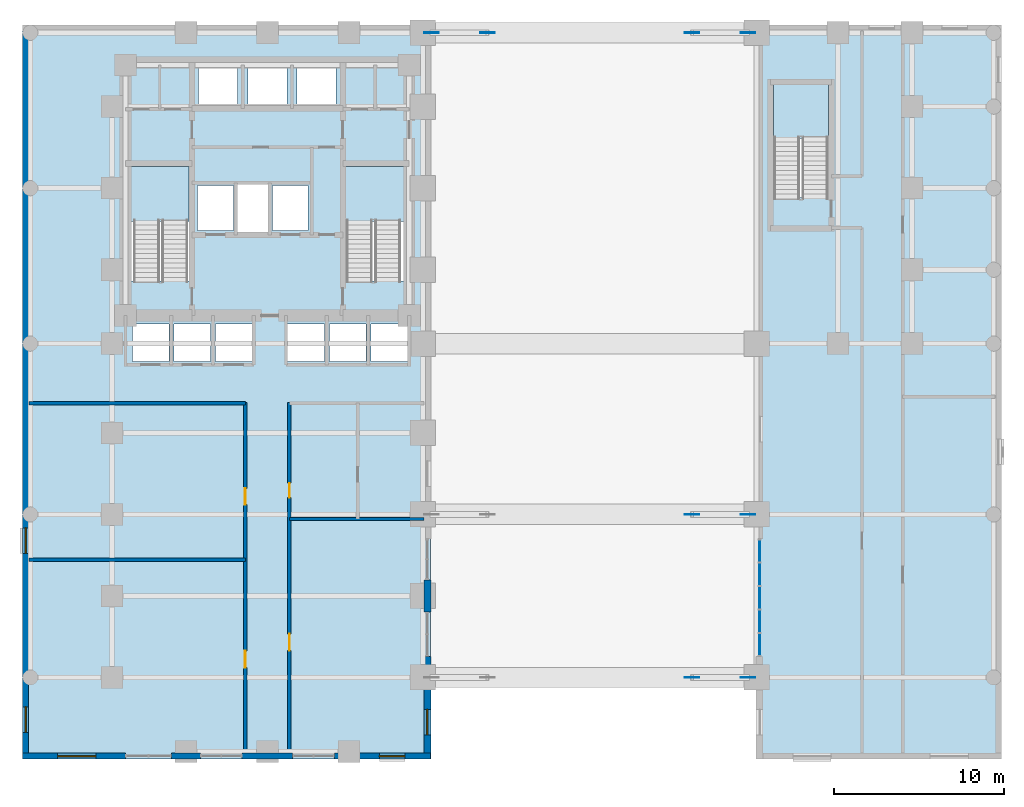
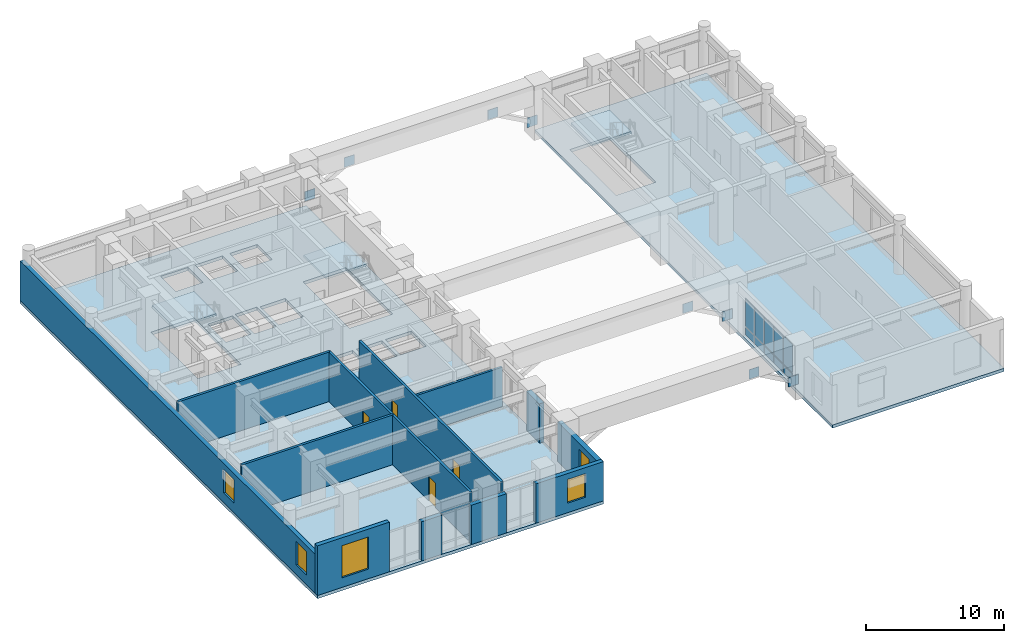
# One storey, part 6 of 12: 18 plates, 12 walls, 5 slabs, 5 windows, 4 doors, 9 openings, 4 elements without a shape of their own.
"""IFC4 building model written with IfcOpenShell, lengths in metres."""

from ifc_helpers import new_model, si_unit, direction, frame, frame_2d, origin, origin_2d, place, context, subcontext, project, spatial, polyline, rectangle, outline, extrude, material, layer, layer_set, type_object, element, fill, aggregate, save


model = new_model("IFC4")

# Units and contexts
model_context = context("Model", 3, precision=1e-05, world=origin(), true_north=direction((0.0, 1.0)))
body_context = subcontext(model_context, "Body", "Model", "MODEL_VIEW")
ifc_project = project(units=[si_unit("LENGTHUNIT", "METRE"), si_unit("AREAUNIT", "SQUARE_METRE"), si_unit("VOLUMEUNIT", "CUBIC_METRE"), si_unit("PLANEANGLEUNIT", "RADIAN"), si_unit("MASSUNIT", "GRAM", prefix="KILO")], contexts=[model_context])

# Site, building, storey
site_placement = place(None, origin())
site = spatial("IfcSite", under=ifc_project, at=site_placement, CompositionType="ELEMENT")
building_placement = place(site_placement, origin())
building = spatial("IfcBuilding", under=site, at=building_placement, Name="Orvandelia Arch Residences", CompositionType="ELEMENT")
storey_placement = place(building_placement, frame((0.0, 0.0, 10.0)))
storey = spatial("IfcBuildingStorey", under=building, at=storey_placement, Name="L02", CompositionType="ELEMENT", Elevation=10.0)

# Curtain wall, plates
ifc_material_1 = material(Name="Anodised Bronze Curtain Wall Assembly")
curtain_wall_type = type_object("IfcCurtainWallType", Name="CW-SYS2-ARCH", PredefinedType="NOTDEFINED", material=ifc_material_1)
curtain_wall_placement = place(storey_placement, origin())
curtain_wall = element("IfcCurtainWall", 1, at=curtain_wall_placement, inside=storey, type_object=curtain_wall_type, Name="Arch East Cheek Glazing L02 6", PredefinedType="NOTDEFINED")
ifc_material_2 = material(Name="Insulated Bronze Aluminium Spandrel Panel", Category="aluminium")
ifc_layer_1 = layer(ifc_material_2, 0.0400390625, Name="Insulated Bronze Aluminium Spandrel Panel", Category="aluminium")
ifc_layer_set_1 = layer_set([ifc_layer_1], Name="Insulated Bronze Aluminium Spandrel Panel")
plate_type_1 = type_object("IfcPlateType", Name="CW-PANEL-SPANDREL", PredefinedType="SHEET", material=ifc_layer_set_1)
plate_1_placement = place(storey_placement, frame((43.3798828125, 11.552001953125, 0.125), z_axis=(0.0, 0.0, 1.0), x_axis=(0.0, 1.0, 0.0)))
plate_1 = element("IfcPlate", 2, at=plate_1_placement, type_object=plate_type_1, Name="Curtain Wall Spandrel Panel CW-L02-6-PS1", PredefinedType="SHEET", context=body_context, shape_type="SweptSolid", body=[
    extrude(rectangle(XDim=1.2939453125, YDim=0.0400390625, at=origin_2d()), origin(), (0.0, 0.0, 1.0), 0.659912109375),
])
plate_2_placement = place(storey_placement, frame((43.3798828125, 12.916015625, 0.125), z_axis=(0.0, 0.0, 1.0), x_axis=(0.0, 1.0, 0.0)))
plate_2 = element("IfcPlate", 3, at=plate_2_placement, type_object=plate_type_1, Name="Curtain Wall Spandrel Panel CW-L02-6-PS2", PredefinedType="SHEET", context=body_context, shape_type="SweptSolid", body=[
    extrude(rectangle(XDim=1.333984375, YDim=0.0400390625, at=origin_2d()), origin(), (0.0, 0.0, 1.0), 0.659912109375),
])
plate_3_placement = place(storey_placement, frame((43.3798828125, 14.300048828125, 0.125), z_axis=(0.0, 0.0, 1.0), x_axis=(0.0, 1.0, 0.0)))
plate_3 = element("IfcPlate", 4, at=plate_3_placement, type_object=plate_type_1, Name="Curtain Wall Spandrel Panel CW-L02-6-PS3", PredefinedType="SHEET", context=body_context, shape_type="SweptSolid", body=[
    extrude(rectangle(XDim=1.333984375, YDim=0.0400390625, at=origin_2d()), origin(), (0.0, 0.0, 1.0), 0.659912109375),
])
plate_4_placement = place(storey_placement, frame((43.3798828125, 15.68408203125, 0.125), z_axis=(0.0, 0.0, 1.0), x_axis=(0.0, 1.0, 0.0)))
plate_4 = element("IfcPlate", 5, at=plate_4_placement, type_object=plate_type_1, Name="Curtain Wall Spandrel Panel CW-L02-6-PS4", PredefinedType="SHEET", context=body_context, shape_type="SweptSolid", body=[
    extrude(rectangle(XDim=1.333984375, YDim=0.0400390625, at=origin_2d()), origin(), (0.0, 0.0, 1.0), 0.659912109375),
])
plate_5_placement = place(storey_placement, frame((43.3798828125, 17.048095703125, 0.125), z_axis=(0.0, 0.0, 1.0), x_axis=(0.0, 1.0, 0.0)))
plate_5 = element("IfcPlate", 6, at=plate_5_placement, type_object=plate_type_1, Name="Curtain Wall Spandrel Panel CW-L02-6-PS5", PredefinedType="SHEET", context=body_context, shape_type="SweptSolid", body=[
    extrude(rectangle(XDim=1.2939453125, YDim=0.0400390625, at=origin_2d()), origin(), (0.0, 0.0, 1.0), 0.659912109375),
])
ifc_material_3 = material(Name="Low-E Laminated Double Glazing", Category="glass")
ifc_layer_2 = layer(ifc_material_3, 0.031982421875, Name="Low-E Laminated Double Glazing", Category="glass")
ifc_layer_set_2 = layer_set([ifc_layer_2], Name="Low-E Laminated Double Glazing")
plate_type_2 = type_object("IfcPlateType", Name="CW-PANEL-VISION", PredefinedType="CURTAIN_PANEL", material=ifc_layer_set_2)
plate_6_placement = place(storey_placement, frame((43.3798828125, 11.552001953125, 0.89501953125), z_axis=(0.0, 0.0, 1.0), x_axis=(0.0, 1.0, 0.0)))
plate_6 = element("IfcPlate", 7, at=plate_6_placement, type_object=plate_type_2, Name="Curtain Wall Vision Glass Panel CW-L02-6-PV1", PredefinedType="CURTAIN_PANEL", context=body_context, shape_type="SweptSolid", body=[
    extrude(rectangle(XDim=1.2939453125, YDim=0.031982421875, at=origin_2d()), origin(), (0.0, 0.0, 1.0), 2.47998046875),
])
plate_7_placement = place(storey_placement, frame((43.3798828125, 12.916015625, 0.89501953125), z_axis=(0.0, 0.0, 1.0), x_axis=(0.0, 1.0, 0.0)))
plate_7 = element("IfcPlate", 8, at=plate_7_placement, type_object=plate_type_2, Name="Curtain Wall Vision Glass Panel CW-L02-6-PV2", PredefinedType="CURTAIN_PANEL", context=body_context, shape_type="SweptSolid", body=[
    extrude(rectangle(XDim=1.333984375, YDim=0.031982421875, at=origin_2d()), origin(), (0.0, 0.0, 1.0), 2.47998046875),
])
plate_8_placement = place(storey_placement, frame((43.3798828125, 14.300048828125, 0.89501953125), z_axis=(0.0, 0.0, 1.0), x_axis=(0.0, 1.0, 0.0)))
plate_8 = element("IfcPlate", 9, at=plate_8_placement, type_object=plate_type_2, Name="Curtain Wall Vision Glass Panel CW-L02-6-PV3", PredefinedType="CURTAIN_PANEL", context=body_context, shape_type="SweptSolid", body=[
    extrude(rectangle(XDim=1.333984375, YDim=0.031982421875, at=origin_2d()), origin(), (0.0, 0.0, 1.0), 2.47998046875),
])
plate_9_placement = place(storey_placement, frame((43.3798828125, 15.68408203125, 0.89501953125), z_axis=(0.0, 0.0, 1.0), x_axis=(0.0, 1.0, 0.0)))
plate_9 = element("IfcPlate", 10, at=plate_9_placement, type_object=plate_type_2, Name="Curtain Wall Vision Glass Panel CW-L02-6-PV4", PredefinedType="CURTAIN_PANEL", context=body_context, shape_type="SweptSolid", body=[
    extrude(rectangle(XDim=1.333984375, YDim=0.031982421875, at=origin_2d()), origin(), (0.0, 0.0, 1.0), 2.47998046875),
])
plate_10_placement = place(storey_placement, frame((43.3798828125, 17.048095703125, 0.89501953125), z_axis=(0.0, 0.0, 1.0), x_axis=(0.0, 1.0, 0.0)))
plate_10 = element("IfcPlate", 11, at=plate_10_placement, type_object=plate_type_2, Name="Curtain Wall Vision Glass Panel CW-L02-6-PV5", PredefinedType="CURTAIN_PANEL", context=body_context, shape_type="SweptSolid", body=[
    extrude(rectangle(XDim=1.2939453125, YDim=0.031982421875, at=origin_2d()), origin(), (0.0, 0.0, 1.0), 2.47998046875),
])
aggregate(curtain_wall, [plate_1, plate_6, plate_2, plate_7, plate_3, plate_8, plate_4, plate_9, plate_5, plate_10])

# Plates
ifc_material_4 = material(Name="Structural Steel HSA650 (650 MPa)", Category="steel")
ifc_layer_3 = layer(ifc_material_4, 0.0400390625, Name="Structural Steel HSA650 (650 MPa)", Category="steel")
ifc_layer_set_3 = layer_set([ifc_layer_3], Name="Structural Steel HSA650 (650 MPa)")
plate_type_3 = type_object("IfcPlateType", Name="PLT-GUSSET-850", PredefinedType="USERDEFINED", material=ifc_layer_set_3)
for number, where, z_axis, x_axis, name in (
    (12, (42.699951171875, 9.60009765625, 0.77490234375), (0.0, 0.0, 1.0), (1.0, 0.0, 0.0), "Arch Springer End Gusset Plate SOUTH-EL"),
    (13, (39.39990234375, 9.60009765625, 2.625), (0.0, 0.0, 1.0), (1.0, 0.0, 0.0), "Arch Springer End Gusset Plate SOUTH-EH"),
    (14, (42.699951171875, 19.199951171875, 0.77490234375), (0.0, 0.0, 1.0), (1.0, 0.0, 0.0), "Arch Springer End Gusset Plate MID-EL"),
    (15, (39.39990234375, 19.199951171875, 2.625), (0.0, 0.0, 1.0), (1.0, 0.0, 0.0), "Arch Springer End Gusset Plate MID-EH"),
    (16, (24.050048828125, 47.550048828125, 0.77490234375), (0.0, 0.0, 1.0), (1.0, 0.0, 0.0), "Arch Springer End Gusset Plate NORTH-WL"),
    (17, (27.35009765625, 47.550048828125, 2.625), (0.0, 0.0, 1.0), (1.0, 0.0, 0.0), "Arch Springer End Gusset Plate NORTH-WH"),
    (18, (42.699951171875, 47.550048828125, 0.77490234375), (0.0, 0.0, 1.0), (1.0, 0.0, 0.0), "Arch Springer End Gusset Plate NORTH-EL"),
    (19, (39.39990234375, 47.550048828125, 2.625), (0.0, 0.0, 1.0), (1.0, 0.0, 0.0), "Arch Springer End Gusset Plate NORTH-EH"),
):
    element("IfcPlate", number, at=place(storey_placement, frame(where, z_axis=z_axis, x_axis=x_axis)), inside=storey, type_object=plate_type_3, Name=name, ObjectType="GUSSET_PLATE", PredefinedType="USERDEFINED", context=body_context, shape_type="SweptSolid", body=[
        extrude(rectangle(XDim=0.85009765625, YDim=0.0400390625, at=origin_2d()), origin(), (0.0, 0.0, 1.0), 0.85009765625),
    ])

# Stair, slab
ifc_material_5 = material(Name="Concrete C40/50", Category="concrete")
stair_type = type_object("IfcStairType", Name="STAIR-RC-DOGLEG", PredefinedType="HALF_TURN_STAIR", material=ifc_material_5)
stair_1_placement = place(storey_placement, origin())
stair_1 = element("IfcStair", 20, at=stair_1_placement, inside=storey, type_object=stair_type, Name="L02 Protected Exit Stair ST-1", PredefinedType="HALF_TURN_STAIR")
ifc_layer_4 = layer(ifc_material_5, 0.219970703125, Name="Concrete C40/50", Category="concrete")
ifc_layer_set_4 = layer_set([ifc_layer_4], Name="Concrete C40/50")
slab_type_1 = type_object("IfcSlabType", Name="SLB-LANDING-220", PredefinedType="LANDING", material=ifc_layer_set_4)
slab_1_placement = place(storey_placement, frame((0.0, 0.0, 2.199951171875)))
slab_1 = element("IfcSlab", 21, at=slab_1_placement, type_object=slab_type_1, Name="ST-1 landing 1", PredefinedType="LANDING", context=body_context, shape_type="SweptSolid", body=[
    extrude(outline(polyline([(9.800048828125, 36.429931640625), (9.800048828125, 39.68994140625), (6.260009765625, 39.68994140625), (6.260009765625, 36.429931640625), (9.800048828125, 36.429931640625)])), origin(), (0.0, 0.0, 1.0), 0.199951171875),
])
aggregate(stair_1, [slab_1])

stair_2_placement = place(storey_placement, origin())
stair_2 = element("IfcStair", 22, at=stair_2_placement, inside=storey, type_object=stair_type, Name="L02 Protected Exit Stair ST-2", PredefinedType="HALF_TURN_STAIR")
slab_2_placement = place(storey_placement, frame((0.0, 0.0, 2.199951171875)))
slab_2 = element("IfcSlab", 23, at=slab_2_placement, type_object=slab_type_1, Name="ST-2 landing 1", PredefinedType="LANDING", context=body_context, shape_type="SweptSolid", body=[
    extrude(outline(polyline([(22.5400390625, 36.429931640625), (22.5400390625, 39.68994140625), (19.0, 39.68994140625), (19.0, 36.429931640625), (22.5400390625, 36.429931640625)])), origin(), (0.0, 0.0, 1.0), 0.199951171875),
])
aggregate(stair_2, [slab_2])

stair_3_placement = place(storey_placement, origin())
stair_3 = element("IfcStair", 24, at=stair_3_placement, inside=storey, type_object=stair_type, Name="L02 East Wing Exit Stair ST-3", PredefinedType="HALF_TURN_STAIR")
slab_3_placement = place(storey_placement, frame((0.0, 0.0, 2.199951171875)))
slab_3 = element("IfcSlab", 25, at=slab_3_placement, type_object=slab_type_1, Name="ST-3 landing 1", PredefinedType="LANDING", context=body_context, shape_type="SweptSolid", body=[
    extrude(outline(polyline([(47.43994140625, 41.330078125), (47.43994140625, 44.5), (44.179931640625, 44.5), (44.179931640625, 41.330078125), (47.43994140625, 41.330078125)])), origin(), (0.0, 0.0, 1.0), 0.199951171875),
])
aggregate(stair_3, [slab_3])

# Slabs
ifc_layer_5 = layer(ifc_material_5, 0.280029296875, Name="Concrete C40/50", Category="concrete")
ifc_layer_set_5 = layer_set([ifc_layer_5], Name="Concrete C40/50")
slab_type_2 = type_object("IfcSlabType", Name="SLB-POD-280", PredefinedType="FLOOR", material=ifc_layer_set_5)
slab_4_placement = place(storey_placement, frame((0.0, 0.0, -0.280029296875)))
element("IfcSlab", 26, at=slab_4_placement, inside=storey, type_object=slab_type_2, Name="Structural Floor Slab L02-1", PredefinedType="FLOOR", context=body_context, shape_type="SweptSolid", body=[
    extrude(outline(polyline([(0.0, 4.800048828125), (24.0, 4.800048828125), (24.0, 48.0), (0.0, 48.0), (0.0, 4.800048828125)]), holes=[polyline([(6.219970703125, 32.949951171875), (9.840087890625, 32.949951171875), (9.840087890625, 39.72998046875), (6.219970703125, 39.72998046875), (6.219970703125, 32.949951171875)]), polyline([(18.9599609375, 32.949951171875), (22.580078125, 32.949951171875), (22.580078125, 39.72998046875), (18.9599609375, 39.72998046875), (18.9599609375, 32.949951171875)]), polyline([(12.639892578125, 35.81005859375), (14.4599609375, 35.81005859375), (14.4599609375, 38.639892578125), (12.639892578125, 38.639892578125), (12.639892578125, 35.81005859375)]), polyline([(10.300048828125, 35.89990234375), (12.39990234375, 35.89990234375), (12.39990234375, 38.550048828125), (10.300048828125, 38.550048828125), (10.300048828125, 35.89990234375)]), polyline([(14.699951171875, 35.89990234375), (16.800048828125, 35.89990234375), (16.800048828125, 38.550048828125), (14.699951171875, 38.550048828125), (14.699951171875, 35.89990234375)]), polyline([(10.35009765625, 43.300048828125), (12.64990234375, 43.300048828125), (12.64990234375, 45.5), (10.35009765625, 45.5), (10.35009765625, 43.300048828125)]), polyline([(13.25, 43.300048828125), (15.550048828125, 43.300048828125), (15.550048828125, 45.5), (13.25, 45.5), (13.25, 43.300048828125)]), polyline([(16.14990234375, 43.300048828125), (18.449951171875, 43.300048828125), (18.449951171875, 45.5), (16.14990234375, 45.5), (16.14990234375, 43.300048828125)]), polyline([(6.449951171875, 28.199951171875), (8.60009765625, 28.199951171875), (8.60009765625, 30.39990234375), (6.449951171875, 30.39990234375), (6.449951171875, 28.199951171875)]), polyline([(8.89990234375, 28.199951171875), (11.050048828125, 28.199951171875), (11.050048828125, 30.39990234375), (8.89990234375, 30.39990234375), (8.89990234375, 28.199951171875)]), polyline([(11.35009765625, 28.199951171875), (13.5, 28.199951171875), (13.5, 30.39990234375), (11.35009765625, 30.39990234375), (11.35009765625, 28.199951171875)]), polyline([(15.60009765625, 28.199951171875), (17.75, 28.199951171875), (17.75, 30.39990234375), (15.60009765625, 30.39990234375), (15.60009765625, 28.199951171875)]), polyline([(18.050048828125, 28.199951171875), (20.199951171875, 28.199951171875), (20.199951171875, 30.39990234375), (18.050048828125, 30.39990234375), (18.050048828125, 28.199951171875)]), polyline([(20.5, 28.199951171875), (22.64990234375, 28.199951171875), (22.64990234375, 30.39990234375), (20.5, 30.39990234375), (20.5, 28.199951171875)])]), origin(), (0.0, 0.0, 1.0), 0.280029296875),
])
slab_5_placement = place(storey_placement, frame((0.0, 0.0, -0.280029296875)))
element("IfcSlab", 27, at=slab_5_placement, inside=storey, type_object=slab_type_2, Name="Structural Floor Slab L02-2", PredefinedType="FLOOR", context=body_context, shape_type="SweptSolid", body=[
    extrude(outline(polyline([(43.199951171875, 4.800048828125), (57.60009765625, 4.800048828125), (57.60009765625, 48.0), (43.199951171875, 48.0), (43.199951171875, 4.800048828125)]), holes=[polyline([(44.139892578125, 37.85009765625), (47.47998046875, 37.85009765625), (47.47998046875, 44.5400390625), (44.139892578125, 44.5400390625), (44.139892578125, 37.85009765625)])]), origin(), (0.0, 0.0, 1.0), 0.280029296875),
])

# Wall
ifc_material_6 = material(Name="Precast concrete C40/50", Category="concrete")
ifc_layer_6 = layer(ifc_material_6, 0.39990234375, Name="Precast concrete C40/50", Category="concrete")
ifc_layer_set_6 = layer_set([ifc_layer_6], Name="Precast concrete C40/50")
wall_type_1 = type_object("IfcWallType", Name="WL-ARCH-CHEEK-400", PredefinedType="SOLIDWALL", material=ifc_layer_set_6)
wall_1_placement = place(storey_placement, frame((23.824951171875, 15.35009765625, 0.0), z_axis=(0.0, 0.0, 1.0), x_axis=(0.0, -1.0, 0.0)))
element("IfcWall", 28, at=wall_1_placement, inside=storey, type_object=wall_type_1, Name="Giant Arch Pier Cheek Wall L02-003", PredefinedType="SOLIDWALL", context=body_context, shape_type="SweptSolid", body=[
    extrude(rectangle(XDim=1.900146484375, YDim=0.39990234375, at=frame_2d((0.9501953125, 0.0))), origin(), (0.0, 0.0, 1.0), 3.47998046875),
])

# Wall, opening, window
wall_2_placement = place(storey_placement, frame((23.824951171875, 10.840087890625, 0.0), z_axis=(0.0, 0.0, 1.0), x_axis=(0.0, -1.0, 0.0)))
wall_2 = element("IfcWall", 29, at=wall_2_placement, inside=storey, type_object=wall_type_1, Name="Giant Arch Pier Cheek Wall L02-004", PredefinedType="SOLIDWALL", context=body_context, shape_type="SweptSolid", body=[
    extrude(rectangle(XDim=6.0400390625, YDim=0.39990234375, at=frame_2d((3.02001953125, 0.0))), origin(), (0.0, 0.0, 1.0), 3.47998046875),
])
opening_1_placement = place(wall_2_placement, frame((3.114990234375, 0.0, 0.85009765625)))
opening_1 = element("IfcOpeningElement", 30, at=opening_1_placement, cuts=wall_2, Name="Opening W2", PredefinedType="OPENING", context=body_context, shape_type="SweptSolid", body=[
    extrude(rectangle(XDim=1.5, YDim=2.10009765625, at=frame_2d((0.75, 1.050048828125))), frame((0.0, 0.2099609375, 0.0), z_axis=(0.0, -1.0, 0.0), x_axis=(1.0, 0.0, 0.0)), (0.0, 0.0, 1.0), 0.419921875),
])
ifc_material_7 = material(Name="Tempered Low-E Insulated Glazing", Category="glass")
window_type_1 = type_object("IfcWindowType", Name="WIN-RES-1500x2100", PartitioningType="SINGLE_PANEL", PredefinedType="WINDOW", material=ifc_material_7)
window_1_placement = place(opening_1_placement, origin())
window_1 = element("IfcWindow", 31, at=window_1_placement, inside=storey, type_object=window_type_1, Name="Recessed Punched Window L02-002", OverallHeight=2.10009765625, OverallWidth=1.5, PartitioningType="SINGLE_PANEL", PredefinedType="WINDOW", context=body_context, shape_type="SweptSolid", body=[
    extrude(rectangle(XDim=1.5, YDim=2.10009765625, at=frame_2d((0.75, 1.050048828125))), frame((0.0, 0.030029296875, 0.0), z_axis=(0.0, -1.0, 0.0), x_axis=(1.0, 0.0, 0.0)), (0.0, 0.0, 1.0), 0.06005859375),
])
fill(opening_1, window_1)

# Wall, openings, doors
ifc_material_8 = material(Name="Fire-Rated Corridor Partition")
ifc_layer_7 = layer(ifc_material_8, 0.199951171875, Name="Fire-Rated Corridor Partition")
ifc_layer_set_7 = layer_set([ifc_layer_7], Name="Fire-Rated Corridor Partition")
wall_type_2 = type_object("IfcWallType", Name="WL-CORR-200", PredefinedType="PARTITIONING", material=ifc_layer_set_7)
wall_3_placement = place(storey_placement, frame((13.10009765625, 5.159912109375, 0.0), z_axis=(0.0, 0.0, 1.0), x_axis=(0.0, 1.0, 0.0)))
wall_3 = element("IfcWall", 32, at=wall_3_placement, inside=storey, type_object=wall_type_2, Name="Interior Partition Wall WL-L02-PW-W", PredefinedType="PARTITIONING", context=body_context, shape_type="SweptSolid", body=[
    extrude(rectangle(XDim=20.64013671875, YDim=0.199951171875, at=frame_2d((10.320068359375, 0.0))), origin(), (0.0, 0.0, 1.0), 4.39990234375),
])
opening_2_placement = place(wall_3_placement, frame((5.02001953125, 0.0, 0.0)))
opening_2 = element("IfcOpeningElement", 33, at=opening_2_placement, cuts=wall_3, Name="Opening D1", PredefinedType="OPENING", context=body_context, shape_type="SweptSolid", body=[
    extrude(rectangle(XDim=0.97998046875, YDim=2.179931640625, at=frame_2d((0.489990234375, 1.08984375))), frame((0.0, 0.10986328125, 0.0), z_axis=(0.0, -1.0, 0.0), x_axis=(1.0, 0.0, 0.0)), (0.0, 0.0, 1.0), 0.219970703125),
])
opening_3_placement = place(wall_3_placement, frame((14.6201171875, 0.0, 0.0)))
opening_3 = element("IfcOpeningElement", 34, at=opening_3_placement, cuts=wall_3, Name="Opening D2", PredefinedType="OPENING", context=body_context, shape_type="SweptSolid", body=[
    extrude(rectangle(XDim=0.949951171875, YDim=2.14990234375, at=frame_2d((0.47509765625, 1.074951171875))), frame((0.0, 0.10986328125, 0.0), z_axis=(0.0, -1.0, 0.0), x_axis=(1.0, 0.0, 0.0)), (0.0, 0.0, 1.0), 0.219970703125),
])
ifc_material_9 = material(Name="Solid-Core Timber Interior Fire Door", Category="wood")
door_type_1 = type_object("IfcDoorType", Name="DR-APT-950", OperationType="NOTDEFINED", PredefinedType="DOOR", material=ifc_material_9)
door_1_placement = place(opening_3_placement, origin())
door_1 = element("IfcDoor", 35, at=door_1_placement, inside=storey, type_object=door_type_1, Name="DR-L02-RET", OperationType="SINGLE_SWING_RIGHT", OverallHeight=2.14990234375, OverallWidth=0.949951171875, PredefinedType="DOOR", context=body_context, shape_type="SweptSolid", body=[
    extrude(rectangle(XDim=0.949951171875, YDim=2.14990234375, at=frame_2d((0.47509765625, 1.074951171875))), frame((0.0, 0.02490234375, 0.0), z_axis=(0.0, -1.0, 0.0), x_axis=(1.0, 0.0, 0.0)), (0.0, 0.0, 1.0), 0.050048828125),
])
fill(opening_3, door_1)
ifc_material_10 = material(Name="Solid-Core Timber Acoustic Fire Door", Category="wood")
door_type_2 = type_object("IfcDoorType", Name="DR-ENT-980", OperationType="NOTDEFINED", PredefinedType="DOOR", material=ifc_material_10)
door_2_placement = place(opening_2_placement, origin())
door_2 = element("IfcDoor", 36, at=door_2_placement, inside=storey, type_object=door_type_2, Name="DR-L02-GAL", OperationType="SINGLE_SWING_LEFT", OverallHeight=2.179931640625, OverallWidth=0.97998046875, PredefinedType="DOOR", context=body_context, shape_type="SweptSolid", body=[
    extrude(rectangle(XDim=0.97998046875, YDim=2.179931640625, at=frame_2d((0.489990234375, 1.08984375))), frame((0.0, 0.02490234375, 0.0), z_axis=(0.0, -1.0, 0.0), x_axis=(1.0, 0.0, 0.0)), (0.0, 0.0, 1.0), 0.050048828125),
])
fill(opening_2, door_2)

wall_4_placement = place(storey_placement, frame((15.699951171875, 5.159912109375, 0.0), z_axis=(0.0, 0.0, 1.0), x_axis=(0.0, 1.0, 0.0)))
wall_4 = element("IfcWall", 37, at=wall_4_placement, inside=storey, type_object=wall_type_2, Name="Interior Partition Wall WL-L02-PW-E", PredefinedType="PARTITIONING", context=body_context, shape_type="SweptSolid", body=[
    extrude(rectangle(XDim=20.64013671875, YDim=0.199951171875, at=frame_2d((10.320068359375, 0.0))), origin(), (0.0, 0.0, 1.0), 4.39990234375),
])
opening_4_placement = place(wall_4_placement, frame((6.02001953125, 0.0, 0.0)))
opening_4 = element("IfcOpeningElement", 38, at=opening_4_placement, cuts=wall_4, Name="Opening D1", PredefinedType="OPENING", context=body_context, shape_type="SweptSolid", body=[
    extrude(rectangle(XDim=0.97998046875, YDim=2.179931640625, at=frame_2d((0.489990234375, 1.08984375))), frame((0.0, 0.10986328125, 0.0), z_axis=(0.0, -1.0, 0.0), x_axis=(1.0, 0.0, 0.0)), (0.0, 0.0, 1.0), 0.219970703125),
])
opening_5_placement = place(wall_4_placement, frame((15.02001953125, 0.0, 0.0)))
opening_5 = element("IfcOpeningElement", 39, at=opening_5_placement, cuts=wall_4, Name="Opening D4", PredefinedType="OPENING", context=body_context, shape_type="SweptSolid", body=[
    extrude(rectangle(XDim=0.860107421875, YDim=2.10009765625, at=frame_2d((0.43017578125, 1.050048828125))), frame((0.0, 0.10986328125, 0.0), z_axis=(0.0, -1.0, 0.0), x_axis=(1.0, 0.0, 0.0)), (0.0, 0.0, 1.0), 0.219970703125),
])
door_3_placement = place(opening_4_placement, origin())
door_3 = element("IfcDoor", 40, at=door_3_placement, inside=storey, type_object=door_type_2, Name="DR-L02-BIS", OperationType="SINGLE_SWING_RIGHT", OverallHeight=2.179931640625, OverallWidth=0.97998046875, PredefinedType="DOOR", context=body_context, shape_type="SweptSolid", body=[
    extrude(rectangle(XDim=0.97998046875, YDim=2.179931640625, at=frame_2d((0.489990234375, 1.08984375))), frame((0.0, 0.02490234375, 0.0), z_axis=(0.0, -1.0, 0.0), x_axis=(1.0, 0.0, 0.0)), (0.0, 0.0, 1.0), 0.050048828125),
])
fill(opening_4, door_3)
ifc_material_11 = material(Name="Moisture-Sealed Timber Bathroom Door", Category="wood")
door_type_3 = type_object("IfcDoorType", Name="DR-WET-900", OperationType="NOTDEFINED", PredefinedType="DOOR", material=ifc_material_11)
door_4_placement = place(opening_5_placement, origin())
door_4 = element("IfcDoor", 41, at=door_4_placement, inside=storey, type_object=door_type_3, Name="DR-L02-WCP", OperationType="SINGLE_SWING_LEFT", OverallHeight=2.10009765625, OverallWidth=0.860107421875, PredefinedType="DOOR", context=body_context, shape_type="SweptSolid", body=[
    extrude(rectangle(XDim=0.860107421875, YDim=2.10009765625, at=frame_2d((0.43017578125, 1.050048828125))), frame((0.0, 0.02490234375, 0.0), z_axis=(0.0, -1.0, 0.0), x_axis=(1.0, 0.0, 0.0)), (0.0, 0.0, 1.0), 0.050048828125),
])
fill(opening_5, door_4)

# Walls
wall_5_placement = place(storey_placement, frame((0.360107421875, 25.75, 0.0), z_axis=(0.0, 0.0, 1.0), x_axis=(1.0, 0.0, 0.0)))
element("IfcWall", 42, at=wall_5_placement, inside=storey, type_object=wall_type_2, Name="Interior Partition Wall WL-L02-PW-CLS1", PredefinedType="PARTITIONING", context=body_context, shape_type="SweptSolid", body=[
    extrude(rectangle(XDim=12.739990234375, YDim=0.199951171875, at=frame_2d((6.3701171875, 0.0))), origin(), (0.0, 0.0, 1.0), 4.39990234375),
])
ifc_layer_8 = layer(ifc_material_5, 0.199951171875, Name="Concrete C40/50", Category="concrete")
ifc_layer_set_8 = layer_set([ifc_layer_8], Name="Concrete C40/50")
wall_type_3 = type_object("IfcWallType", Name="WL-DEM-200", PredefinedType="SOLIDWALL", material=ifc_layer_set_8)
wall_6_placement = place(storey_placement, frame((0.360107421875, 16.52001953125, 0.0), z_axis=(0.0, 0.0, 1.0), x_axis=(1.0, 0.0, 0.0)))
element("IfcWall", 43, at=wall_6_placement, inside=storey, type_object=wall_type_3, Name="Interior Partition Wall WL-L02-PW-D1", PredefinedType="SOLIDWALL", context=body_context, shape_type="SweptSolid", body=[
    extrude(rectangle(XDim=12.739990234375, YDim=0.199951171875, at=frame_2d((6.3701171875, 0.0))), origin(), (0.0, 0.0, 1.0), 4.39990234375),
])

# Wall, opening, window
ifc_layer_9 = layer(ifc_material_6, 0.35009765625, Name="Precast concrete C40/50", Category="concrete")
ifc_layer_set_9 = layer_set([ifc_layer_9], Name="Precast concrete C40/50")
wall_type_4 = type_object("IfcWallType", Name="WL-EXT-POD-350", PredefinedType="STANDARD", material=ifc_layer_set_9)
wall_7_placement = place(storey_placement, frame((24.0, 4.97509765625, 0.0), z_axis=(0.0, 0.0, 1.0), x_axis=(-1.0, 0.0, 0.0)))
wall_7 = element("IfcWall", 44, at=wall_7_placement, inside=storey, type_object=wall_type_4, Name="Coral-Limestone Precast Facade Wall L02-005", PredefinedType="STANDARD", context=body_context, shape_type="SweptSolid", body=[
    extrude(rectangle(XDim=5.64990234375, YDim=0.35009765625, at=frame_2d((2.824951171875, 0.0))), origin(), (0.0, 0.0, 1.0), 3.47998046875),
])
opening_6_placement = place(wall_7_placement, frame((1.5, 0.0, 0.85009765625)))
opening_6 = element("IfcOpeningElement", 45, at=opening_6_placement, cuts=wall_7, Name="Opening W2", PredefinedType="OPENING", context=body_context, shape_type="SweptSolid", body=[
    extrude(rectangle(XDim=1.5, YDim=2.10009765625, at=frame_2d((0.75, 1.050048828125))), frame((0.0, 0.18505859375, 0.0), z_axis=(0.0, -1.0, 0.0), x_axis=(1.0, 0.0, 0.0)), (0.0, 0.0, 1.0), 0.3701171875),
])
window_2_placement = place(opening_6_placement, origin())
window_2 = element("IfcWindow", 46, at=window_2_placement, inside=storey, type_object=window_type_1, Name="Recessed Punched Window L02-003", OverallHeight=2.10009765625, OverallWidth=1.5, PartitioningType="SINGLE_PANEL", PredefinedType="WINDOW", context=body_context, shape_type="SweptSolid", body=[
    extrude(rectangle(XDim=1.5, YDim=2.10009765625, at=frame_2d((0.75, 1.050048828125))), frame((0.0, 0.030029296875, 0.0), z_axis=(0.0, -1.0, 0.0), x_axis=(1.0, 0.0, 0.0)), (0.0, 0.0, 1.0), 0.06005859375),
])
fill(opening_6, window_2)

# Walls
wall_8_placement = place(storey_placement, frame((15.8798828125, 4.97509765625, 0.0), z_axis=(0.0, 0.0, 1.0), x_axis=(-1.0, 0.0, 0.0)))
element("IfcWall", 47, at=wall_8_placement, inside=storey, type_object=wall_type_4, Name="Coral-Limestone Precast Facade Wall L02-006", PredefinedType="STANDARD", context=body_context, shape_type="SweptSolid", body=[
    extrude(rectangle(XDim=2.9599609375, YDim=0.35009765625, at=frame_2d((1.47998046875, 0.0))), origin(), (0.0, 0.0, 1.0), 3.47998046875),
])
wall_9_placement = place(storey_placement, frame((10.449951171875, 4.97509765625, 0.0), z_axis=(0.0, 0.0, 1.0), x_axis=(-1.0, 0.0, 0.0)))
element("IfcWall", 48, at=wall_9_placement, inside=storey, type_object=wall_type_4, Name="Coral-Limestone Precast Facade Wall L02-007", PredefinedType="STANDARD", context=body_context, shape_type="SweptSolid", body=[
    extrude(rectangle(XDim=1.699951171875, YDim=0.35009765625, at=frame_2d((0.85009765625, 0.0))), origin(), (0.0, 0.0, 1.0), 3.47998046875),
])

# Wall, opening, window
wall_10_placement = place(storey_placement, frame((6.0400390625, 4.97509765625, 0.0), z_axis=(0.0, 0.0, 1.0), x_axis=(-1.0, 0.0, 0.0)))
wall_10 = element("IfcWall", 49, at=wall_10_placement, inside=storey, type_object=wall_type_4, Name="Coral-Limestone Precast Facade Wall L02-008", PredefinedType="STANDARD", context=body_context, shape_type="SweptSolid", body=[
    extrude(rectangle(XDim=6.0400390625, YDim=0.35009765625, at=frame_2d((3.02001953125, 0.0))), origin(), (0.0, 0.0, 1.0), 4.39990234375),
])
opening_7_placement = place(wall_10_placement, frame((1.739990234375, 0.0, 0.85009765625)))
opening_7 = element("IfcOpeningElement", 50, at=opening_7_placement, cuts=wall_10, Name="Opening W13", PredefinedType="OPENING", context=body_context, shape_type="SweptSolid", body=[
    extrude(rectangle(XDim=2.25, YDim=2.85009765625, at=frame_2d((1.125, 1.425048828125))), frame((0.0, 0.18505859375, 0.0), z_axis=(0.0, -1.0, 0.0), x_axis=(1.0, 0.0, 0.0)), (0.0, 0.0, 1.0), 0.3701171875),
])
ifc_material_12 = material(Name="Laminated Acoustic Double Glazing", Category="glass")
window_type_2 = type_object("IfcWindowType", Name="WIN-GAL-2250x2850", PartitioningType="SINGLE_PANEL", PredefinedType="WINDOW", material=ifc_material_12)
window_3_placement = place(opening_7_placement, origin())
window_3 = element("IfcWindow", 51, at=window_3_placement, inside=storey, type_object=window_type_2, Name="Recessed Punched Window L02-004", OverallHeight=2.85009765625, OverallWidth=2.25, PartitioningType="SINGLE_PANEL", PredefinedType="WINDOW", context=body_context, shape_type="SweptSolid", body=[
    extrude(rectangle(XDim=2.25, YDim=2.85009765625, at=frame_2d((1.125, 1.425048828125))), frame((0.0, 0.030029296875, 0.0), z_axis=(0.0, -1.0, 0.0), x_axis=(1.0, 0.0, 0.0)), (0.0, 0.0, 1.0), 0.06005859375),
])
fill(opening_7, window_3)

# Wall, openings, windows
wall_11_placement = place(storey_placement, frame((0.175048828125, 4.800048828125, 0.0), z_axis=(0.0, 0.0, 1.0), x_axis=(0.0, 1.0, 0.0)))
wall_11 = element("IfcWall", 52, at=wall_11_placement, inside=storey, type_object=wall_type_4, Name="Coral-Limestone Precast Facade Wall L02-009", PredefinedType="STANDARD", context=body_context, shape_type="SweptSolid", body=[
    extrude(rectangle(XDim=43.199951171875, YDim=0.35009765625, at=frame_2d((21.60009765625, 0.0))), origin(), (0.0, 0.0, 1.0), 3.47998046875),
])
opening_8_placement = place(wall_11_placement, frame((1.574951171875, 0.0, 0.85009765625)))
opening_8 = element("IfcOpeningElement", 53, at=opening_8_placement, cuts=wall_11, Name="Opening W2", PredefinedType="OPENING", context=body_context, shape_type="SweptSolid", body=[
    extrude(rectangle(XDim=1.5, YDim=2.10009765625, at=frame_2d((0.75, 1.050048828125))), frame((0.0, 0.18505859375, 0.0), z_axis=(0.0, -1.0, 0.0), x_axis=(1.0, 0.0, 0.0)), (0.0, 0.0, 1.0), 0.3701171875),
])
opening_9_placement = place(wall_11_placement, frame((12.10009765625, 0.0, 0.85009765625)))
opening_9 = element("IfcOpeningElement", 54, at=opening_9_placement, cuts=wall_11, Name="Opening W2", PredefinedType="OPENING", context=body_context, shape_type="SweptSolid", body=[
    extrude(rectangle(XDim=1.5, YDim=2.10009765625, at=frame_2d((0.75, 1.050048828125))), frame((0.0, 0.18505859375, 0.0), z_axis=(0.0, -1.0, 0.0), x_axis=(1.0, 0.0, 0.0)), (0.0, 0.0, 1.0), 0.3701171875),
])
window_4_placement = place(opening_8_placement, origin())
window_4 = element("IfcWindow", 55, at=window_4_placement, inside=storey, type_object=window_type_1, Name="Recessed Punched Window L02-005", OverallHeight=2.10009765625, OverallWidth=1.5, PartitioningType="SINGLE_PANEL", PredefinedType="WINDOW", context=body_context, shape_type="SweptSolid", body=[
    extrude(rectangle(XDim=1.5, YDim=2.10009765625, at=frame_2d((0.75, 1.050048828125))), frame((0.0, 0.030029296875, 0.0), z_axis=(0.0, -1.0, 0.0), x_axis=(1.0, 0.0, 0.0)), (0.0, 0.0, 1.0), 0.06005859375),
])
fill(opening_8, window_4)
window_5_placement = place(opening_9_placement, origin())
window_5 = element("IfcWindow", 56, at=window_5_placement, inside=storey, type_object=window_type_1, Name="Recessed Punched Window L02-006", OverallHeight=2.10009765625, OverallWidth=1.5, PartitioningType="SINGLE_PANEL", PredefinedType="WINDOW", context=body_context, shape_type="SweptSolid", body=[
    extrude(rectangle(XDim=1.5, YDim=2.10009765625, at=frame_2d((0.75, 1.050048828125))), frame((0.0, 0.030029296875, 0.0), z_axis=(0.0, -1.0, 0.0), x_axis=(1.0, 0.0, 0.0)), (0.0, 0.0, 1.0), 0.06005859375),
])
fill(opening_9, window_5)

# Wall
ifc_material_13 = material(Name="Moisture-Resistant Plumbing Wall")
ifc_layer_10 = layer(ifc_material_13, 0.179931640625, Name="Moisture-Resistant Plumbing Wall")
ifc_layer_set_10 = layer_set([ifc_layer_10], Name="Moisture-Resistant Plumbing Wall")
wall_type_5 = type_object("IfcWallType", Name="WL-WET-180", PredefinedType="PLUMBINGWALL", material=ifc_layer_set_10)
wall_12_placement = place(storey_placement, frame((15.699951171875, 18.919921875, 0.0), z_axis=(0.0, 0.0, 1.0), x_axis=(1.0, 0.0, 0.0)))
element("IfcWall", 57, at=wall_12_placement, inside=storey, type_object=wall_type_5, Name="Interior Partition Wall WL-L02-PW-D2", PredefinedType="PLUMBINGWALL", context=body_context, shape_type="SweptSolid", body=[
    extrude(rectangle(XDim=7.920166015625, YDim=0.179931640625, at=frame_2d((3.9599609375, 0.0))), origin(), (0.0, 0.0, 1.0), 3.47998046875),
])

save(model, "model.ifc")
